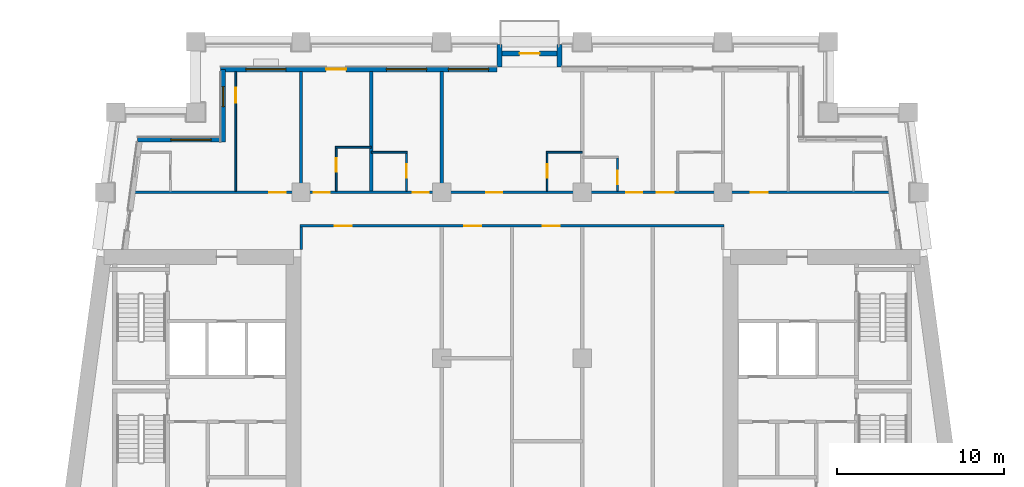
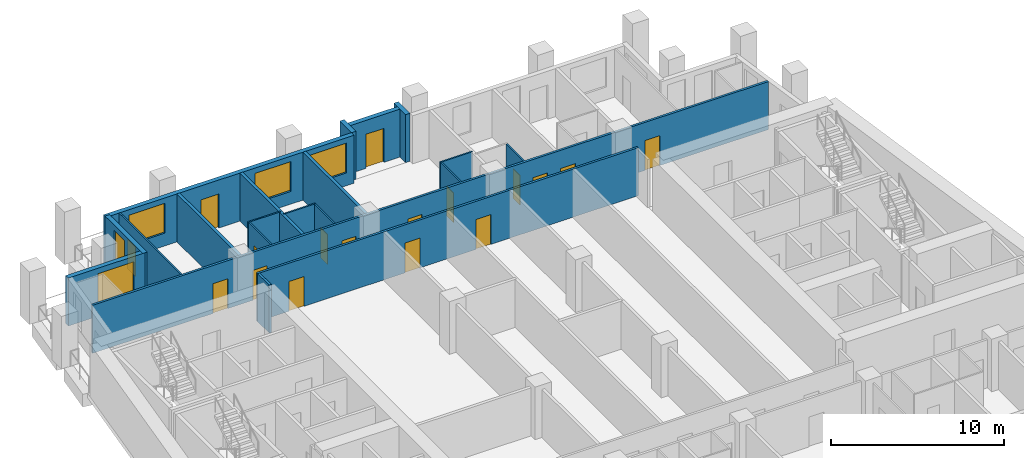
# One storey, part 6 of 13: 20 walls, 17 doors, 5 windows, 22 openings.
"""IFC4 building model written with IfcOpenShell, lengths in metres."""

from ifc_helpers import new_model, si_unit, direction, frame, frame_2d, origin, place, context, subcontext, project, spatial, rectangle, extrude, material, layer, layer_set, type_object, element, fill, save


model = new_model("IFC4")

# Units and contexts
model_context = context("Model", 3, precision=1e-05, world=origin(), true_north=direction((0.0, 1.0)))
body_context = subcontext(model_context, "Body", "Model", "MODEL_VIEW")
ifc_project = project(units=[si_unit("LENGTHUNIT", "METRE"), si_unit("AREAUNIT", "SQUARE_METRE"), si_unit("VOLUMEUNIT", "CUBIC_METRE"), si_unit("PLANEANGLEUNIT", "RADIAN"), si_unit("MASSUNIT", "GRAM", prefix="KILO")], contexts=[model_context])

# Site, building, storey
site_placement = place(None, origin())
site = spatial("IfcSite", under=ifc_project, at=site_placement, CompositionType="ELEMENT")
building_placement = place(site_placement, origin())
building = spatial("IfcBuilding", under=site, at=building_placement, Name="Candeia Pilgrim Tower and Theatre", CompositionType="ELEMENT")
storey_placement = place(building_placement, frame((0.0, 0.0, 158.89990234375)))
storey = spatial("IfcBuildingStorey", under=building, at=storey_placement, Name="L37", CompositionType="ELEMENT", Elevation=158.89990234375)

# Wall, openings, door, windows
ifc_material_1 = material(Name="Ceramic block masonry", Category="masonry")
ifc_layer_1 = layer(ifc_material_1, 0.300048828125)
ifc_layer_set_1 = layer_set([ifc_layer_1], Name="EW1 glazing-line wall 300")
wall_type_1 = type_object("IfcWallType", Name="EW1 glazing-line wall 300", PredefinedType="SOLIDWALL", material=ifc_layer_set_1)
wall_1_placement = place(storey_placement, frame((112.5, 143.14990234375, 0.0), z_axis=(0.0, 0.0, 1.0), x_axis=(-1.0, 0.0, 0.0)))
wall_1 = element("IfcWall", 1, at=wall_1_placement, inside=storey, type_object=wall_type_1, Name="External wall L37-6.1", PredefinedType="SOLIDWALL", context=body_context, shape_type="SweptSolid", body=[
    extrude(rectangle(XDim=16.5, YDim=0.300048828125, at=frame_2d((8.25, 0.0))), origin(), (0.0, 0.0, 1.0), 3.380126953125),
])
opening_1_placement = place(wall_1_placement, frame((0.5, 0.0, 0.89990234375)))
opening_1 = element("IfcOpeningElement", 2, at=opening_1_placement, cuts=wall_1, Name="Opening W-A", PredefinedType="OPENING", context=body_context, shape_type="SweptSolid", body=[
    extrude(rectangle(XDim=2.39990234375, YDim=2.10009765625, at=frame_2d((1.199951171875, 1.050048828125))), frame((0.0, 0.16015625, 0.0), z_axis=(0.0, -1.0, 0.0), x_axis=(1.0, 0.0, 0.0)), (0.0, 0.0, 1.0), 0.320068359375),
])
opening_2_placement = place(wall_1_placement, frame((4.199951171875, 0.0, 0.89990234375)))
opening_2 = element("IfcOpeningElement", 3, at=opening_2_placement, cuts=wall_1, Name="Opening W-A", PredefinedType="OPENING", context=body_context, shape_type="SweptSolid", body=[
    extrude(rectangle(XDim=2.39990234375, YDim=2.10009765625, at=frame_2d((1.199951171875, 1.050048828125))), frame((0.0, 0.16015625, 0.0), z_axis=(0.0, -1.0, 0.0), x_axis=(1.0, 0.0, 0.0)), (0.0, 0.0, 1.0), 0.320068359375),
])
opening_3_placement = place(wall_1_placement, frame((9.0, 0.0, 0.0)))
opening_3 = element("IfcOpeningElement", 4, at=opening_3_placement, cuts=wall_1, Name="Opening L37-ED359", PredefinedType="OPENING", context=body_context, shape_type="SweptSolid", body=[
    extrude(rectangle(XDim=1.199951171875, YDim=2.39990234375, at=frame_2d((0.60009765625, 1.199951171875))), frame((0.0, 0.16015625, 0.0), z_axis=(0.0, -1.0, 0.0), x_axis=(1.0, 0.0, 0.0)), (0.0, 0.0, 1.0), 0.320068359375),
])
opening_4_placement = place(wall_1_placement, frame((12.60009765625, 0.0, 0.89990234375)))
opening_4 = element("IfcOpeningElement", 5, at=opening_4_placement, cuts=wall_1, Name="Opening W-A", PredefinedType="OPENING", context=body_context, shape_type="SweptSolid", body=[
    extrude(rectangle(XDim=2.39990234375, YDim=2.10009765625, at=frame_2d((1.199951171875, 1.050048828125))), frame((0.0, 0.16015625, 0.0), z_axis=(0.0, -1.0, 0.0), x_axis=(1.0, 0.0, 0.0)), (0.0, 0.0, 1.0), 0.320068359375),
])
ifc_material_2 = material(Name="Aluminium framed glazed door", Category="aluminium")
door_type_1 = type_object("IfcDoorType", Name="Loggia door 1200x2400", OperationType="DOUBLE_DOOR_SINGLE_SWING", PredefinedType="DOOR", material=ifc_material_2)
door_1_placement = place(opening_3_placement, origin())
door_1 = element("IfcDoor", 6, at=door_1_placement, inside=storey, type_object=door_type_1, Name="Loggia door L37-ED359", OperationType="DOUBLE_DOOR_SINGLE_SWING", OverallHeight=2.39990234375, OverallWidth=1.199951171875, PredefinedType="DOOR", context=body_context, shape_type="SweptSolid", body=[
    extrude(rectangle(XDim=1.199951171875, YDim=2.39990234375, at=frame_2d((0.60009765625, 1.199951171875))), frame((0.0, 0.02490234375, 0.0), z_axis=(0.0, -1.0, 0.0), x_axis=(1.0, 0.0, 0.0)), (0.0, 0.0, 1.0), 0.050048828125),
])
fill(opening_3, door_1)
ifc_material_3 = material(Name="Aluminium framed double glazing", Category="aluminium")
window_type_1 = type_object("IfcWindowType", Name="W-A window 2400x2100", PartitioningType="DOUBLE_PANEL_VERTICAL", PredefinedType="WINDOW", material=ifc_material_3)
window_1_placement = place(opening_1_placement, origin())
window_1 = element("IfcWindow", 7, at=window_1_placement, inside=storey, type_object=window_type_1, Name="Window W-A L37", OverallHeight=2.10009765625, OverallWidth=2.39990234375, PartitioningType="SINGLE_PANEL", PredefinedType="WINDOW", context=body_context, shape_type="SweptSolid", body=[
    extrude(rectangle(XDim=2.39990234375, YDim=2.10009765625, at=frame_2d((1.199951171875, 1.050048828125))), frame((0.0, 0.030029296875, 0.0), z_axis=(0.0, -1.0, 0.0), x_axis=(1.0, 0.0, 0.0)), (0.0, 0.0, 1.0), 0.06005859375),
])
fill(opening_1, window_1)
window_2_placement = place(opening_2_placement, origin())
window_2 = element("IfcWindow", 8, at=window_2_placement, inside=storey, type_object=window_type_1, Name="Window W-A L37", OverallHeight=2.10009765625, OverallWidth=2.39990234375, PartitioningType="SINGLE_PANEL", PredefinedType="WINDOW", context=body_context, shape_type="SweptSolid", body=[
    extrude(rectangle(XDim=2.39990234375, YDim=2.10009765625, at=frame_2d((1.199951171875, 1.050048828125))), frame((0.0, 0.030029296875, 0.0), z_axis=(0.0, -1.0, 0.0), x_axis=(1.0, 0.0, 0.0)), (0.0, 0.0, 1.0), 0.06005859375),
])
fill(opening_2, window_2)
window_3_placement = place(opening_4_placement, origin())
window_3 = element("IfcWindow", 9, at=window_3_placement, inside=storey, type_object=window_type_1, Name="Window W-A L37", OverallHeight=2.10009765625, OverallWidth=2.39990234375, PartitioningType="SINGLE_PANEL", PredefinedType="WINDOW", context=body_context, shape_type="SweptSolid", body=[
    extrude(rectangle(XDim=2.39990234375, YDim=2.10009765625, at=frame_2d((1.199951171875, 1.050048828125))), frame((0.0, 0.030029296875, 0.0), z_axis=(0.0, -1.0, 0.0), x_axis=(1.0, 0.0, 0.0)), (0.0, 0.0, 1.0), 0.06005859375),
])
fill(opening_4, window_3)

# Wall, opening, window
wall_2_placement = place(storey_placement, frame((96.14990234375, 143.14990234375, 0.0), z_axis=(0.0, 0.0, 1.0), x_axis=(0.0, -1.0, 0.0)))
wall_2 = element("IfcWall", 10, at=wall_2_placement, inside=storey, type_object=wall_type_1, Name="External wall L37-7.0", PredefinedType="SOLIDWALL", context=body_context, shape_type="SweptSolid", body=[
    extrude(rectangle(XDim=4.349853515625, YDim=0.300048828125, at=frame_2d((2.1748046875, 0.0))), origin(), (0.0, 0.0, 1.0), 3.380126953125),
])
opening_5_placement = place(wall_2_placement, frame((1.02490234375, 0.0, 0.89990234375)))
opening_5 = element("IfcOpeningElement", 11, at=opening_5_placement, cuts=wall_2, Name="Opening W-B", PredefinedType="OPENING", context=body_context, shape_type="SweptSolid", body=[
    extrude(rectangle(XDim=1.199951171875, YDim=2.10009765625, at=frame_2d((0.60009765625, 1.050048828125))), frame((0.0, 0.16015625, 0.0), z_axis=(0.0, -1.0, 0.0), x_axis=(1.0, 0.0, 0.0)), (0.0, 0.0, 1.0), 0.320068359375),
])
window_type_2 = type_object("IfcWindowType", Name="W-B window 1200x2100", PartitioningType="SINGLE_PANEL", PredefinedType="WINDOW", material=ifc_material_3)
window_4_placement = place(opening_5_placement, origin())
window_4 = element("IfcWindow", 12, at=window_4_placement, inside=storey, type_object=window_type_2, Name="Window W-B L37", OverallHeight=2.10009765625, OverallWidth=1.199951171875, PartitioningType="SINGLE_PANEL", PredefinedType="WINDOW", context=body_context, shape_type="SweptSolid", body=[
    extrude(rectangle(XDim=1.199951171875, YDim=2.10009765625, at=frame_2d((0.60009765625, 1.050048828125))), frame((0.0, 0.030029296875, 0.0), z_axis=(0.0, -1.0, 0.0), x_axis=(1.0, 0.0, 0.0)), (0.0, 0.0, 1.0), 0.06005859375),
])
fill(opening_5, window_4)

wall_3_placement = place(storey_placement, frame((96.14990234375, 138.949951171875, 0.0), z_axis=(0.0, 0.0, 1.0), x_axis=(-1.0, 0.0, 0.0)))
wall_3 = element("IfcWall", 13, at=wall_3_placement, inside=storey, type_object=wall_type_1, Name="External wall L37-8.0", PredefinedType="SOLIDWALL", context=body_context, shape_type="SweptSolid", body=[
    extrude(rectangle(XDim=5.103759765625, YDim=0.300048828125, at=frame_2d((2.5517578125, 0.0))), origin(), (0.0, 0.0, 1.0), 3.380126953125),
])
opening_6_placement = place(wall_3_placement, frame((0.72509765625, 0.0, 0.89990234375)))
opening_6 = element("IfcOpeningElement", 14, at=opening_6_placement, cuts=wall_3, Name="Opening W-A", PredefinedType="OPENING", context=body_context, shape_type="SweptSolid", body=[
    extrude(rectangle(XDim=2.39990234375, YDim=2.10009765625, at=frame_2d((1.199951171875, 1.050048828125))), frame((0.0, 0.16015625, 0.0), z_axis=(0.0, -1.0, 0.0), x_axis=(1.0, 0.0, 0.0)), (0.0, 0.0, 1.0), 0.320068359375),
])
window_5_placement = place(opening_6_placement, origin())
window_5 = element("IfcWindow", 15, at=window_5_placement, inside=storey, type_object=window_type_1, Name="Window W-A L37", OverallHeight=2.10009765625, OverallWidth=2.39990234375, PartitioningType="SINGLE_PANEL", PredefinedType="WINDOW", context=body_context, shape_type="SweptSolid", body=[
    extrude(rectangle(XDim=2.39990234375, YDim=2.10009765625, at=frame_2d((1.199951171875, 1.050048828125))), frame((0.0, 0.030029296875, 0.0), z_axis=(0.0, -1.0, 0.0), x_axis=(1.0, 0.0, 0.0)), (0.0, 0.0, 1.0), 0.06005859375),
])
fill(opening_6, window_5)

# Walls
ifc_layer_2 = layer(ifc_material_1, 0.300048828125)
ifc_layer_set_2 = layer_set([ifc_layer_2], Name="EW2 entrance infill wall 300")
wall_type_2 = type_object("IfcWallType", Name="EW2 entrance infill wall 300", PredefinedType="SOLIDWALL", material=ifc_layer_set_2)
for number, where, z_axis, x_axis, name in (
    (16, (116.25, 143.300048828125, 0.0), (0.0, 0.0, 1.0), (0.0, 1.0, 0.0), "Alcove wall L37"),
    (17, (112.64990234375, 143.300048828125, 0.0), (0.0, 0.0, 1.0), (0.0, 1.0, 0.0), "Alcove wall L37"),
):
    element("IfcWall", number, at=place(storey_placement, frame(where, z_axis=z_axis, x_axis=x_axis)), inside=storey, type_object=wall_type_2, Name=name, PredefinedType="SOLIDWALL", context=body_context, shape_type="SweptSolid", body=[
        extrude(rectangle(XDim=1.349853515625, YDim=0.300048828125, at=frame_2d((0.6748046875, 0.0))), origin(), (0.0, 0.0, 1.0), 3.380126953125),
    ])

# Wall, opening, door
wall_4_placement = place(storey_placement, frame((116.39990234375, 144.10009765625, 0.0), z_axis=(0.0, 0.0, 1.0), x_axis=(-1.0, 0.0, 0.0)))
wall_4 = element("IfcWall", 18, at=wall_4_placement, inside=storey, type_object=wall_type_2, Name="Alcove wall L37", PredefinedType="SOLIDWALL", context=body_context, shape_type="SweptSolid", body=[
    extrude(rectangle(XDim=3.89990234375, YDim=0.300048828125, at=frame_2d((1.949951171875, 0.0))), origin(), (0.0, 0.0, 1.0), 3.380126953125),
])
opening_7_placement = place(wall_4_placement, frame((1.35009765625, 0.0, 0.0)))
opening_7 = element("IfcOpeningElement", 19, at=opening_7_placement, cuts=wall_4, Name="Opening L37-ED360", PredefinedType="OPENING", context=body_context, shape_type="SweptSolid", body=[
    extrude(rectangle(XDim=1.199951171875, YDim=2.39990234375, at=frame_2d((0.60009765625, 1.199951171875))), frame((0.0, 0.16015625, 0.0), z_axis=(0.0, -1.0, 0.0), x_axis=(1.0, 0.0, 0.0)), (0.0, 0.0, 1.0), 0.320068359375),
])
door_2_placement = place(opening_7_placement, origin())
door_2 = element("IfcDoor", 20, at=door_2_placement, inside=storey, type_object=door_type_1, Name="Balcony door L37-ED360", OperationType="DOUBLE_DOOR_SINGLE_SWING", OverallHeight=2.39990234375, OverallWidth=1.199951171875, PredefinedType="DOOR", context=body_context, shape_type="SweptSolid", body=[
    extrude(rectangle(XDim=1.199951171875, YDim=2.39990234375, at=frame_2d((0.60009765625, 1.199951171875))), frame((0.0, 0.02490234375, 0.0), z_axis=(0.0, -1.0, 0.0), x_axis=(1.0, 0.0, 0.0)), (0.0, 0.0, 1.0), 0.050048828125),
])
fill(opening_7, door_2)

# Walls
ifc_material_4 = material(Name="Gypsum board partition on steel studs", Category="steel")
ifc_layer_3 = layer(ifc_material_4, 0.10009765625)
ifc_layer_set_3 = layer_set([ifc_layer_3], Name="PW-100 room partition")
wall_type_3 = type_object("IfcWallType", Name="PW-100 room partition", PredefinedType="PARTITIONING", material=ifc_layer_set_3)
wall_5_placement = place(storey_placement, frame((105.0, 138.199951171875, 0.0), z_axis=(0.0, 0.0, 1.0), x_axis=(1.0, 0.0, 0.0)))
element("IfcWall", 21, at=wall_5_placement, inside=storey, type_object=wall_type_3, Name="Room partition L37-044", PredefinedType="PARTITIONING", context=body_context, shape_type="SweptSolid", body=[
    extrude(rectangle(XDim=2.14990234375, YDim=0.10009765625, at=frame_2d((1.074951171875, 0.0))), origin(), (0.0, 0.0, 1.0), 3.380126953125),
])
wall_6_placement = place(storey_placement, frame((115.449951171875, 138.199951171875, 0.0), z_axis=(0.0, 0.0, 1.0), x_axis=(1.0, 0.0, 0.0)))
element("IfcWall", 22, at=wall_6_placement, inside=storey, type_object=wall_type_3, Name="Room partition L37-045", PredefinedType="PARTITIONING", context=body_context, shape_type="SweptSolid", body=[
    extrude(rectangle(XDim=2.150146484375, YDim=0.10009765625, at=frame_2d((1.0751953125, 0.0))), origin(), (0.0, 0.0, 1.0), 3.380126953125),
])
wall_7_placement = place(storey_placement, frame((102.85009765625, 138.5, 0.0), z_axis=(0.0, 0.0, 1.0), x_axis=(1.0, 0.0, 0.0)))
element("IfcWall", 23, at=wall_7_placement, inside=storey, type_object=wall_type_3, Name="Room partition L37-048", PredefinedType="PARTITIONING", context=body_context, shape_type="SweptSolid", body=[
    extrude(rectangle(XDim=2.14990234375, YDim=0.10009765625, at=frame_2d((1.074951171875, 0.0))), origin(), (0.0, 0.0, 1.0), 3.380126953125),
])

# Wall, opening, door
wall_8_placement = place(storey_placement, frame((96.89990234375, 135.875, 0.0), z_axis=(0.0, 0.0, 1.0), x_axis=(0.0, 1.0, 0.0)))
wall_8 = element("IfcWall", 24, at=wall_8_placement, inside=storey, type_object=wall_type_3, Name="Room partition L37-067", PredefinedType="PARTITIONING", context=body_context, shape_type="SweptSolid", body=[
    extrude(rectangle(XDim=7.135009765625, YDim=0.10009765625, at=frame_2d((3.5673828125, 0.0))), origin(), (0.0, 0.0, 1.0), 3.380126953125),
])
opening_8_placement = place(wall_8_placement, frame((5.2900390625, 0.0, 0.0)))
opening_8 = element("IfcOpeningElement", 25, at=opening_8_placement, cuts=wall_8, Name="Opening L37-D035", PredefinedType="OPENING", context=body_context, shape_type="SweptSolid", body=[
    extrude(rectangle(XDim=0.89990234375, YDim=2.10009765625, at=frame_2d((0.449951171875, 1.050048828125))), frame((0.0, 0.06005859375, 0.0), z_axis=(0.0, -1.0, 0.0), x_axis=(1.0, 0.0, 0.0)), (0.0, 0.0, 1.0), 0.1201171875),
])
ifc_material_5 = material(Name="Timber door leaf", Category="wood")
door_type_2 = type_object("IfcDoorType", Name="D-900", OperationType="NOTDEFINED", PredefinedType="DOOR", material=ifc_material_5)
door_3_placement = place(opening_8_placement, origin())
door_3 = element("IfcDoor", 26, at=door_3_placement, inside=storey, type_object=door_type_2, Name="Door L37-D035", OperationType="SINGLE_SWING_RIGHT", OverallHeight=2.10009765625, OverallWidth=0.89990234375, PredefinedType="DOOR", context=body_context, shape_type="SweptSolid", body=[
    extrude(rectangle(XDim=0.89990234375, YDim=2.10009765625, at=frame_2d((0.449951171875, 1.050048828125))), frame((0.0, 0.02490234375, 0.0), z_axis=(0.0, -1.0, 0.0), x_axis=(1.0, 0.0, 0.0)), (0.0, 0.0, 1.0), 0.050048828125),
])
fill(opening_8, door_3)

wall_9_placement = place(storey_placement, frame((102.89990234375, 135.875, 0.0), z_axis=(0.0, 0.0, 1.0), x_axis=(0.0, 1.0, 0.0)))
wall_9 = element("IfcWall", 27, at=wall_9_placement, inside=storey, type_object=wall_type_3, Name="Room partition L37-076", PredefinedType="PARTITIONING", context=body_context, shape_type="SweptSolid", body=[
    extrude(rectangle(XDim=2.574951171875, YDim=0.10009765625, at=frame_2d((1.28759765625, 0.0))), origin(), (0.0, 0.0, 1.0), 3.380126953125),
])
opening_9_placement = place(wall_9_placement, frame((1.175048828125, 0.0, 0.0)))
opening_9 = element("IfcOpeningElement", 28, at=opening_9_placement, cuts=wall_9, Name="Opening L37-D038", PredefinedType="OPENING", context=body_context, shape_type="SweptSolid", body=[
    extrude(rectangle(XDim=0.800048828125, YDim=2.10009765625, at=frame_2d((0.39990234375, 1.050048828125))), frame((0.0, 0.06005859375, 0.0), z_axis=(0.0, -1.0, 0.0), x_axis=(1.0, 0.0, 0.0)), (0.0, 0.0, 1.0), 0.1201171875),
])
door_type_3 = type_object("IfcDoorType", Name="D-800", OperationType="NOTDEFINED", PredefinedType="DOOR", material=ifc_material_5)
door_4_placement = place(opening_9_placement, origin())
door_4 = element("IfcDoor", 29, at=door_4_placement, inside=storey, type_object=door_type_3, Name="Door L37-D038", OperationType="SINGLE_SWING_LEFT", OverallHeight=2.10009765625, OverallWidth=0.800048828125, PredefinedType="DOOR", context=body_context, shape_type="SweptSolid", body=[
    extrude(rectangle(XDim=0.800048828125, YDim=2.10009765625, at=frame_2d((0.39990234375, 1.050048828125))), frame((0.0, 0.02490234375, 0.0), z_axis=(0.0, -1.0, 0.0), x_axis=(1.0, 0.0, 0.0)), (0.0, 0.0, 1.0), 0.050048828125),
])
fill(opening_9, door_4)

wall_10_placement = place(storey_placement, frame((107.10009765625, 135.875, 0.0), z_axis=(0.0, 0.0, 1.0), x_axis=(0.0, 1.0, 0.0)))
wall_10 = element("IfcWall", 30, at=wall_10_placement, inside=storey, type_object=wall_type_3, Name="Room partition L37-078", PredefinedType="PARTITIONING", context=body_context, shape_type="SweptSolid", body=[
    extrude(rectangle(XDim=2.27490234375, YDim=0.10009765625, at=frame_2d((1.137451171875, 0.0))), origin(), (0.0, 0.0, 1.0), 3.380126953125),
])
opening_10_placement = place(wall_10_placement, frame((0.81494140625, 0.0, 0.0)))
opening_10 = element("IfcOpeningElement", 31, at=opening_10_placement, cuts=wall_10, Name="Opening L37-D040", PredefinedType="OPENING", context=body_context, shape_type="SweptSolid", body=[
    extrude(rectangle(XDim=0.800048828125, YDim=2.10009765625, at=frame_2d((0.39990234375, 1.050048828125))), frame((0.0, 0.06005859375, 0.0), z_axis=(0.0, -1.0, 0.0), x_axis=(1.0, 0.0, 0.0)), (0.0, 0.0, 1.0), 0.1201171875),
])
door_5_placement = place(opening_10_placement, origin())
door_5 = element("IfcDoor", 32, at=door_5_placement, inside=storey, type_object=door_type_3, Name="Door L37-D040", OperationType="SINGLE_SWING_LEFT", OverallHeight=2.10009765625, OverallWidth=0.800048828125, PredefinedType="DOOR", context=body_context, shape_type="SweptSolid", body=[
    extrude(rectangle(XDim=0.800048828125, YDim=2.10009765625, at=frame_2d((0.39990234375, 1.050048828125))), frame((0.0, 0.02490234375, 0.0), z_axis=(0.0, -1.0, 0.0), x_axis=(1.0, 0.0, 0.0)), (0.0, 0.0, 1.0), 0.050048828125),
])
fill(opening_10, door_5)

wall_11_placement = place(storey_placement, frame((115.5, 135.875, 0.0), z_axis=(0.0, 0.0, 1.0), x_axis=(0.0, 1.0, 0.0)))
wall_11 = element("IfcWall", 33, at=wall_11_placement, inside=storey, type_object=wall_type_3, Name="Room partition L37-086", PredefinedType="PARTITIONING", context=body_context, shape_type="SweptSolid", body=[
    extrude(rectangle(XDim=2.27490234375, YDim=0.10009765625, at=frame_2d((1.137451171875, 0.0))), origin(), (0.0, 0.0, 1.0), 3.380126953125),
])
opening_11_placement = place(wall_11_placement, frame((0.81494140625, 0.0, 0.0)))
opening_11 = element("IfcOpeningElement", 34, at=opening_11_placement, cuts=wall_11, Name="Opening L37-D042", PredefinedType="OPENING", context=body_context, shape_type="SweptSolid", body=[
    extrude(rectangle(XDim=0.800048828125, YDim=2.10009765625, at=frame_2d((0.39990234375, 1.050048828125))), frame((0.0, 0.06005859375, 0.0), z_axis=(0.0, -1.0, 0.0), x_axis=(1.0, 0.0, 0.0)), (0.0, 0.0, 1.0), 0.1201171875),
])
door_6_placement = place(opening_11_placement, origin())
door_6 = element("IfcDoor", 35, at=door_6_placement, inside=storey, type_object=door_type_3, Name="Door L37-D042", OperationType="SINGLE_SWING_LEFT", OverallHeight=2.10009765625, OverallWidth=0.800048828125, PredefinedType="DOOR", context=body_context, shape_type="SweptSolid", body=[
    extrude(rectangle(XDim=0.800048828125, YDim=2.10009765625, at=frame_2d((0.39990234375, 1.050048828125))), frame((0.0, 0.02490234375, 0.0), z_axis=(0.0, -1.0, 0.0), x_axis=(1.0, 0.0, 0.0)), (0.0, 0.0, 1.0), 0.050048828125),
])
fill(opening_11, door_6)

wall_12_placement = place(storey_placement, frame((119.699951171875, 135.875, 0.0), z_axis=(0.0, 0.0, 1.0), x_axis=(0.0, 1.0, 0.0)))
wall_12 = element("IfcWall", 36, at=wall_12_placement, inside=storey, type_object=wall_type_3, Name="Room partition L37-090", PredefinedType="PARTITIONING", context=body_context, shape_type="SweptSolid", body=[
    extrude(rectangle(XDim=1.97509765625, YDim=0.10009765625, at=frame_2d((0.987548828125, 0.0))), origin(), (0.0, 0.0, 1.0), 3.380126953125),
])
opening_12_placement = place(wall_12_placement, frame((0.425048828125, 0.0, 0.0)))
opening_12 = element("IfcOpeningElement", 37, at=opening_12_placement, cuts=wall_12, Name="Opening L37-D044", PredefinedType="OPENING", context=body_context, shape_type="SweptSolid", body=[
    extrude(rectangle(XDim=0.800048828125, YDim=2.10009765625, at=frame_2d((0.39990234375, 1.050048828125))), frame((0.0, 0.06005859375, 0.0), z_axis=(0.0, -1.0, 0.0), x_axis=(1.0, 0.0, 0.0)), (0.0, 0.0, 1.0), 0.1201171875),
])
door_7_placement = place(opening_12_placement, origin())
door_7 = element("IfcDoor", 38, at=door_7_placement, inside=storey, type_object=door_type_3, Name="Door L37-D044", OperationType="SINGLE_SWING_LEFT", OverallHeight=2.10009765625, OverallWidth=0.800048828125, PredefinedType="DOOR", context=body_context, shape_type="SweptSolid", body=[
    extrude(rectangle(XDim=0.800048828125, YDim=2.10009765625, at=frame_2d((0.39990234375, 1.050048828125))), frame((0.0, 0.02490234375, 0.0), z_axis=(0.0, -1.0, 0.0), x_axis=(1.0, 0.0, 0.0)), (0.0, 0.0, 1.0), 0.050048828125),
])
fill(opening_12, door_7)

# Wall, openings, doors
ifc_layer_4 = layer(ifc_material_4, 0.14990234375)
ifc_layer_set_4 = layer_set([ifc_layer_4], Name="PW-150 unit wall")
wall_type_4 = type_object("IfcWallType", Name="PW-150 unit wall", PredefinedType="PARTITIONING", material=ifc_layer_set_4)
wall_13_placement = place(storey_placement, frame((100.72509765625, 133.800048828125, 0.0), z_axis=(0.0, 0.0, 1.0), x_axis=(1.0, 0.0, 0.0)))
wall_13 = element("IfcWall", 39, at=wall_13_placement, inside=storey, type_object=wall_type_4, Name="Unit wall L37-040", PredefinedType="PARTITIONING", context=body_context, shape_type="SweptSolid", body=[
    extrude(rectangle(XDim=25.349853515625, YDim=0.14990234375, at=frame_2d((12.6748046875, 0.0))), origin(), (0.0, 0.0, 1.0), 3.380126953125),
])
opening_13_placement = place(wall_13_placement, frame((2.10009765625, 0.0, 0.0)))
opening_13 = element("IfcOpeningElement", 40, at=opening_13_placement, cuts=wall_13, Name="Opening L37-D051", PredefinedType="OPENING", context=body_context, shape_type="SweptSolid", body=[
    extrude(rectangle(XDim=1.0, YDim=2.10009765625, at=frame_2d((0.5, 1.050048828125))), frame((0.0, 0.0849609375, 0.0), z_axis=(0.0, -1.0, 0.0), x_axis=(1.0, 0.0, 0.0)), (0.0, 0.0, 1.0), 0.169921875),
])
opening_14_placement = place(wall_13_placement, frame((9.824951171875, 0.0, 0.0)))
opening_14 = element("IfcOpeningElement", 41, at=opening_14_placement, cuts=wall_13, Name="Opening L37-D053", PredefinedType="OPENING", context=body_context, shape_type="SweptSolid", body=[
    extrude(rectangle(XDim=1.0, YDim=2.10009765625, at=frame_2d((0.5, 1.050048828125))), frame((0.0, 0.0849609375, 0.0), z_axis=(0.0, -1.0, 0.0), x_axis=(1.0, 0.0, 0.0)), (0.0, 0.0, 1.0), 0.169921875),
])
opening_15_placement = place(wall_13_placement, frame((14.52490234375, 0.0, 0.0)))
opening_15 = element("IfcOpeningElement", 42, at=opening_15_placement, cuts=wall_13, Name="Opening L37-D055", PredefinedType="OPENING", context=body_context, shape_type="SweptSolid", body=[
    extrude(rectangle(XDim=1.0, YDim=2.10009765625, at=frame_2d((0.5, 1.050048828125))), frame((0.0, 0.0849609375, 0.0), z_axis=(0.0, -1.0, 0.0), x_axis=(1.0, 0.0, 0.0)), (0.0, 0.0, 1.0), 0.169921875),
])
ifc_material_6 = material(Name="Steel fire door set", Category="steel")
door_type_4 = type_object("IfcDoorType", Name="D-1000-FD30S", OperationType="NOTDEFINED", PredefinedType="DOOR", material=ifc_material_6)
door_8_placement = place(opening_13_placement, origin())
door_8 = element("IfcDoor", 43, at=door_8_placement, inside=storey, type_object=door_type_4, Name="Door L37-D051", OperationType="SINGLE_SWING_RIGHT", OverallHeight=2.10009765625, OverallWidth=1.0, PredefinedType="DOOR", context=body_context, shape_type="SweptSolid", body=[
    extrude(rectangle(XDim=1.0, YDim=2.10009765625, at=frame_2d((0.5, 1.050048828125))), frame((0.0, 0.02490234375, 0.0), z_axis=(0.0, -1.0, 0.0), x_axis=(1.0, 0.0, 0.0)), (0.0, 0.0, 1.0), 0.050048828125),
])
fill(opening_13, door_8)
door_9_placement = place(opening_14_placement, origin())
door_9 = element("IfcDoor", 44, at=door_9_placement, inside=storey, type_object=door_type_4, Name="Door L37-D053", OperationType="SINGLE_SWING_RIGHT", OverallHeight=2.10009765625, OverallWidth=1.0, PredefinedType="DOOR", context=body_context, shape_type="SweptSolid", body=[
    extrude(rectangle(XDim=1.0, YDim=2.10009765625, at=frame_2d((0.5, 1.050048828125))), frame((0.0, 0.02490234375, 0.0), z_axis=(0.0, -1.0, 0.0), x_axis=(1.0, 0.0, 0.0)), (0.0, 0.0, 1.0), 0.050048828125),
])
fill(opening_14, door_9)
door_10_placement = place(opening_15_placement, origin())
door_10 = element("IfcDoor", 45, at=door_10_placement, inside=storey, type_object=door_type_4, Name="Door L37-D055", OperationType="SINGLE_SWING_RIGHT", OverallHeight=2.10009765625, OverallWidth=1.0, PredefinedType="DOOR", context=body_context, shape_type="SweptSolid", body=[
    extrude(rectangle(XDim=1.0, YDim=2.10009765625, at=frame_2d((0.5, 1.050048828125))), frame((0.0, 0.02490234375, 0.0), z_axis=(0.0, -1.0, 0.0), x_axis=(1.0, 0.0, 0.0)), (0.0, 0.0, 1.0), 0.050048828125),
])
fill(opening_15, door_10)

wall_14_placement = place(storey_placement, frame((90.89453125, 135.800048828125, 0.0), z_axis=(0.0, 0.0, 1.0), x_axis=(1.0, 0.0, 0.0)))
wall_14 = element("IfcWall", 46, at=wall_14_placement, inside=storey, type_object=wall_type_4, Name="Unit wall L37-041", PredefinedType="PARTITIONING", context=body_context, shape_type="SweptSolid", body=[
    extrude(rectangle(XDim=45.010986328125, YDim=0.14990234375, at=frame_2d((22.50537109375, 0.0))), origin(), (0.0, 0.0, 1.0), 3.380126953125),
])
opening_16_placement = place(wall_14_placement, frame((8.00537109375, 0.0, 0.0)))
opening_16 = element("IfcOpeningElement", 47, at=opening_16_placement, cuts=wall_14, Name="Opening L37-D034", PredefinedType="OPENING", context=body_context, shape_type="SweptSolid", body=[
    extrude(rectangle(XDim=1.0, YDim=2.10009765625, at=frame_2d((0.5, 1.050048828125))), frame((0.0, 0.0849609375, 0.0), z_axis=(0.0, -1.0, 0.0), x_axis=(1.0, 0.0, 0.0)), (0.0, 0.0, 1.0), 0.169921875),
])
opening_17_placement = place(wall_14_placement, frame((10.67041015625, 0.0, 0.0)))
opening_17 = element("IfcOpeningElement", 48, at=opening_17_placement, cuts=wall_14, Name="Opening L37-D037", PredefinedType="OPENING", context=body_context, shape_type="SweptSolid", body=[
    extrude(rectangle(XDim=0.949951171875, YDim=2.10009765625, at=frame_2d((0.47509765625, 1.050048828125))), frame((0.0, 0.0849609375, 0.0), z_axis=(0.0, -1.0, 0.0), x_axis=(1.0, 0.0, 0.0)), (0.0, 0.0, 1.0), 0.169921875),
])
opening_18_placement = place(wall_14_placement, frame((16.59033203125, 0.0, 0.0)))
opening_18 = element("IfcOpeningElement", 49, at=opening_18_placement, cuts=wall_14, Name="Opening L37-D039", PredefinedType="OPENING", context=body_context, shape_type="SweptSolid", body=[
    extrude(rectangle(XDim=0.949951171875, YDim=2.10009765625, at=frame_2d((0.47509765625, 1.050048828125))), frame((0.0, 0.0849609375, 0.0), z_axis=(0.0, -1.0, 0.0), x_axis=(1.0, 0.0, 0.0)), (0.0, 0.0, 1.0), 0.169921875),
])
opening_19_placement = place(wall_14_placement, frame((20.98046875, 0.0, 0.0)))
opening_19 = element("IfcOpeningElement", 50, at=opening_19_placement, cuts=wall_14, Name="Opening L37-D041", PredefinedType="OPENING", context=body_context, shape_type="SweptSolid", body=[
    extrude(rectangle(XDim=0.949951171875, YDim=2.10009765625, at=frame_2d((0.47509765625, 1.050048828125))), frame((0.0, 0.0849609375, 0.0), z_axis=(0.0, -1.0, 0.0), x_axis=(1.0, 0.0, 0.0)), (0.0, 0.0, 1.0), 0.169921875),
])
opening_20_placement = place(wall_14_placement, frame((29.33544921875, 0.0, 0.0)))
opening_20 = element("IfcOpeningElement", 51, at=opening_20_placement, cuts=wall_14, Name="Opening L37-D043", PredefinedType="OPENING", context=body_context, shape_type="SweptSolid", body=[
    extrude(rectangle(XDim=0.949951171875, YDim=2.10009765625, at=frame_2d((0.47509765625, 1.050048828125))), frame((0.0, 0.0849609375, 0.0), z_axis=(0.0, -1.0, 0.0), x_axis=(1.0, 0.0, 0.0)), (0.0, 0.0, 1.0), 0.169921875),
])
opening_21_placement = place(wall_14_placement, frame((31.155517578125, 0.0, 0.0)))
opening_21 = element("IfcOpeningElement", 52, at=opening_21_placement, cuts=wall_14, Name="Opening L37-D045", PredefinedType="OPENING", context=body_context, shape_type="SweptSolid", body=[
    extrude(rectangle(XDim=1.0, YDim=2.10009765625, at=frame_2d((0.5, 1.050048828125))), frame((0.0, 0.0849609375, 0.0), z_axis=(0.0, -1.0, 0.0), x_axis=(1.0, 0.0, 0.0)), (0.0, 0.0, 1.0), 0.169921875),
])
opening_22_placement = place(wall_14_placement, frame((36.775390625, 0.0, 0.0)))
opening_22 = element("IfcOpeningElement", 53, at=opening_22_placement, cuts=wall_14, Name="Opening L37-D047", PredefinedType="OPENING", context=body_context, shape_type="SweptSolid", body=[
    extrude(rectangle(XDim=1.0, YDim=2.10009765625, at=frame_2d((0.5, 1.050048828125))), frame((0.0, 0.0849609375, 0.0), z_axis=(0.0, -1.0, 0.0), x_axis=(1.0, 0.0, 0.0)), (0.0, 0.0, 1.0), 0.169921875),
])
door_11_placement = place(opening_16_placement, origin())
door_11 = element("IfcDoor", 54, at=door_11_placement, inside=storey, type_object=door_type_4, Name="Door L37-D034", OperationType="SINGLE_SWING_LEFT", OverallHeight=2.10009765625, OverallWidth=1.0, PredefinedType="DOOR", context=body_context, shape_type="SweptSolid", body=[
    extrude(rectangle(XDim=1.0, YDim=2.10009765625, at=frame_2d((0.5, 1.050048828125))), frame((0.0, 0.02490234375, 0.0), z_axis=(0.0, -1.0, 0.0), x_axis=(1.0, 0.0, 0.0)), (0.0, 0.0, 1.0), 0.050048828125),
])
fill(opening_16, door_11)
door_12_placement = place(opening_21_placement, origin())
door_12 = element("IfcDoor", 55, at=door_12_placement, inside=storey, type_object=door_type_4, Name="Door L37-D045", OperationType="SINGLE_SWING_RIGHT", OverallHeight=2.10009765625, OverallWidth=1.0, PredefinedType="DOOR", context=body_context, shape_type="SweptSolid", body=[
    extrude(rectangle(XDim=1.0, YDim=2.10009765625, at=frame_2d((0.5, 1.050048828125))), frame((0.0, 0.02490234375, 0.0), z_axis=(0.0, -1.0, 0.0), x_axis=(1.0, 0.0, 0.0)), (0.0, 0.0, 1.0), 0.050048828125),
])
fill(opening_21, door_12)
door_13_placement = place(opening_22_placement, origin())
door_13 = element("IfcDoor", 56, at=door_13_placement, inside=storey, type_object=door_type_4, Name="Door L37-D047", OperationType="SINGLE_SWING_RIGHT", OverallHeight=2.10009765625, OverallWidth=1.0, PredefinedType="DOOR", context=body_context, shape_type="SweptSolid", body=[
    extrude(rectangle(XDim=1.0, YDim=2.10009765625, at=frame_2d((0.5, 1.050048828125))), frame((0.0, 0.02490234375, 0.0), z_axis=(0.0, -1.0, 0.0), x_axis=(1.0, 0.0, 0.0)), (0.0, 0.0, 1.0), 0.050048828125),
])
fill(opening_22, door_13)
door_type_5 = type_object("IfcDoorType", Name="D-950-FD30S", OperationType="NOTDEFINED", PredefinedType="DOOR", material=ifc_material_6)
door_14_placement = place(opening_17_placement, origin())
door_14 = element("IfcDoor", 57, at=door_14_placement, inside=storey, type_object=door_type_5, Name="Door L37-D037", OperationType="SINGLE_SWING_RIGHT", OverallHeight=2.10009765625, OverallWidth=0.949951171875, PredefinedType="DOOR", context=body_context, shape_type="SweptSolid", body=[
    extrude(rectangle(XDim=0.949951171875, YDim=2.10009765625, at=frame_2d((0.47509765625, 1.050048828125))), frame((0.0, 0.02490234375, 0.0), z_axis=(0.0, -1.0, 0.0), x_axis=(1.0, 0.0, 0.0)), (0.0, 0.0, 1.0), 0.050048828125),
])
fill(opening_17, door_14)
door_15_placement = place(opening_18_placement, origin())
door_15 = element("IfcDoor", 58, at=door_15_placement, inside=storey, type_object=door_type_5, Name="Door L37-D039", OperationType="SINGLE_SWING_RIGHT", OverallHeight=2.10009765625, OverallWidth=0.949951171875, PredefinedType="DOOR", context=body_context, shape_type="SweptSolid", body=[
    extrude(rectangle(XDim=0.949951171875, YDim=2.10009765625, at=frame_2d((0.47509765625, 1.050048828125))), frame((0.0, 0.02490234375, 0.0), z_axis=(0.0, -1.0, 0.0), x_axis=(1.0, 0.0, 0.0)), (0.0, 0.0, 1.0), 0.050048828125),
])
fill(opening_18, door_15)
door_16_placement = place(opening_19_placement, origin())
door_16 = element("IfcDoor", 59, at=door_16_placement, inside=storey, type_object=door_type_5, Name="Door L37-D041", OperationType="SINGLE_SWING_RIGHT", OverallHeight=2.10009765625, OverallWidth=0.949951171875, PredefinedType="DOOR", context=body_context, shape_type="SweptSolid", body=[
    extrude(rectangle(XDim=0.949951171875, YDim=2.10009765625, at=frame_2d((0.47509765625, 1.050048828125))), frame((0.0, 0.02490234375, 0.0), z_axis=(0.0, -1.0, 0.0), x_axis=(1.0, 0.0, 0.0)), (0.0, 0.0, 1.0), 0.050048828125),
])
fill(opening_19, door_16)
door_17_placement = place(opening_20_placement, origin())
door_17 = element("IfcDoor", 60, at=door_17_placement, inside=storey, type_object=door_type_5, Name="Door L37-D043", OperationType="SINGLE_SWING_RIGHT", OverallHeight=2.10009765625, OverallWidth=0.949951171875, PredefinedType="DOOR", context=body_context, shape_type="SweptSolid", body=[
    extrude(rectangle(XDim=0.949951171875, YDim=2.10009765625, at=frame_2d((0.47509765625, 1.050048828125))), frame((0.0, 0.02490234375, 0.0), z_axis=(0.0, -1.0, 0.0), x_axis=(1.0, 0.0, 0.0)), (0.0, 0.0, 1.0), 0.050048828125),
])
fill(opening_20, door_17)

# Walls
wall_15_placement = place(storey_placement, frame((100.800048828125, 132.39990234375, 0.0), z_axis=(0.0, 0.0, 1.0), x_axis=(0.0, 1.0, 0.0)))
element("IfcWall", 61, at=wall_15_placement, inside=storey, type_object=wall_type_4, Name="Unit wall L37-075", PredefinedType="PARTITIONING", context=body_context, shape_type="SweptSolid", body=[
    extrude(rectangle(XDim=1.3251953125, YDim=0.14990234375, at=frame_2d((0.66259765625, 0.0))), origin(), (0.0, 0.0, 1.0), 3.380126953125),
])
ifc_layer_5 = layer(ifc_material_4, 0.199951171875)
ifc_layer_set_5 = layer_set([ifc_layer_5], Name="PW-200 party wall")
wall_type_5 = type_object("IfcWallType", Name="PW-200 party wall", PredefinedType="PARTITIONING", material=ifc_layer_set_5)
for number, where, z_axis, x_axis, name in (
    (62, (100.800048828125, 135.875, 0.0), (0.0, 0.0, 1.0), (0.0, 1.0, 0.0), "Party wall L37-073"),
    (63, (105.0, 135.875, 0.0), (0.0, 0.0, 1.0), (0.0, 1.0, 0.0), "Party wall L37-077"),
    (64, (109.199951171875, 135.875, 0.0), (0.0, 0.0, 1.0), (0.0, 1.0, 0.0), "Party wall L37-081"),
):
    element("IfcWall", number, at=place(storey_placement, frame(where, z_axis=z_axis, x_axis=x_axis)), inside=storey, type_object=wall_type_5, Name=name, PredefinedType="PARTITIONING", context=body_context, shape_type="SweptSolid", body=[
        extrude(rectangle(XDim=7.135009765625, YDim=0.199951171875, at=frame_2d((3.5673828125, 0.0))), origin(), (0.0, 0.0, 1.0), 3.380126953125),
    ])

save(model, "model.ifc")
